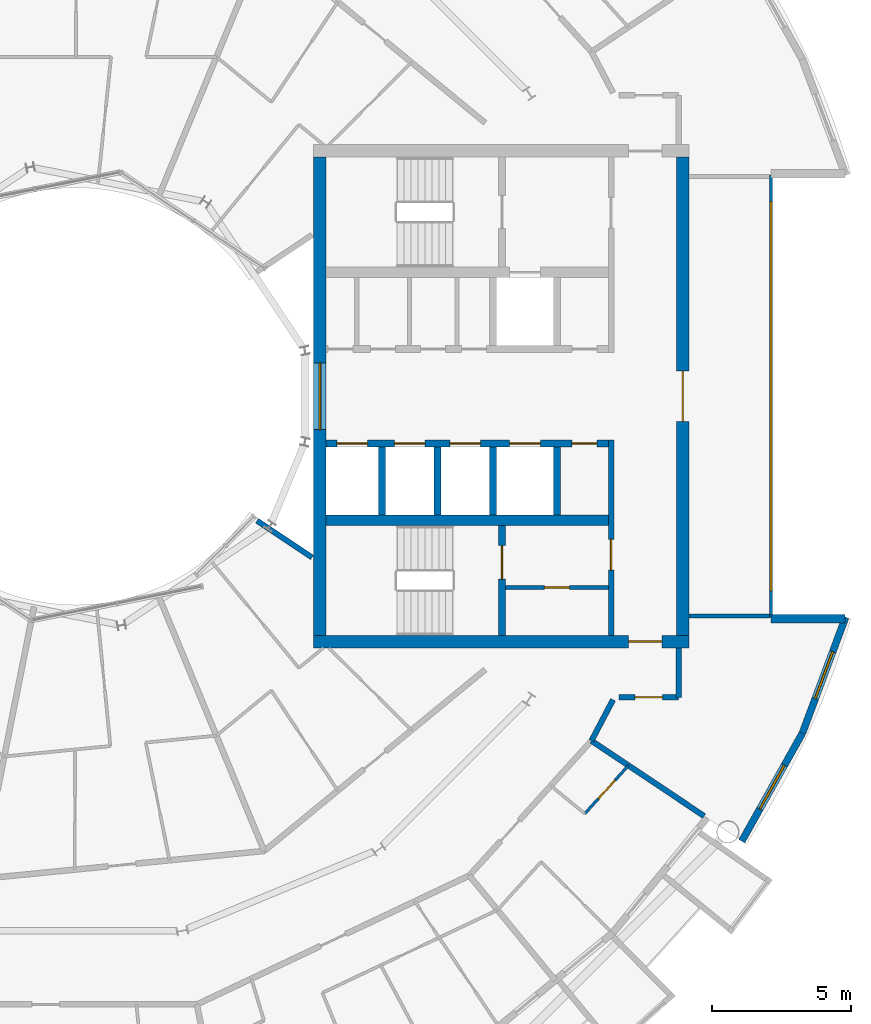
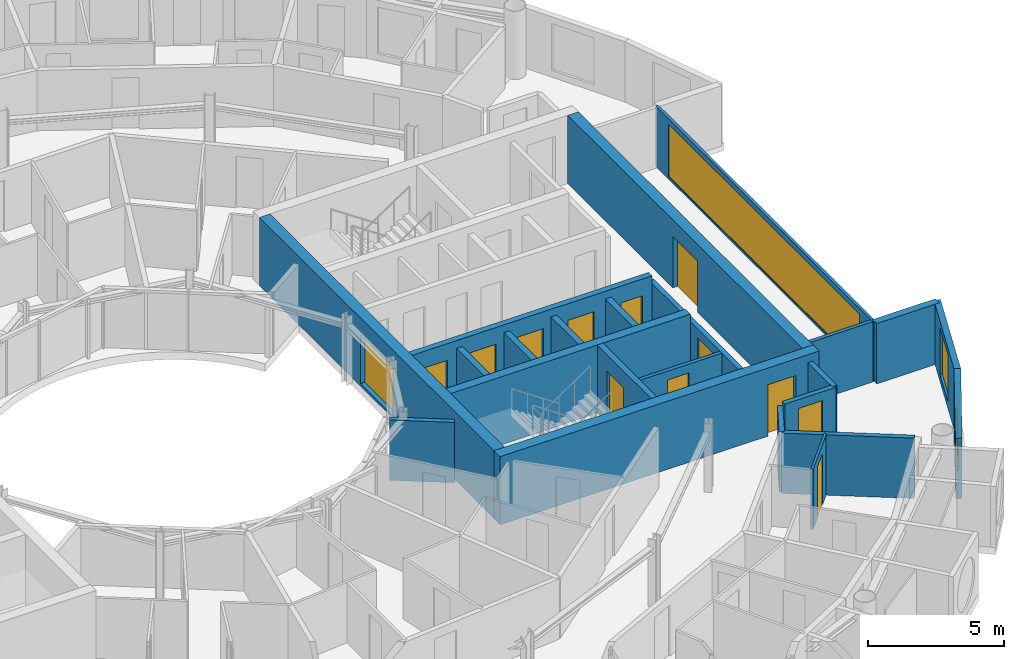
# One storey, part 19 of 29: 23 walls, 12 doors, 4 windows, 16 openings.
"""IFC4 building model written with IfcOpenShell, lengths in metres."""

from ifc_helpers import new_model, si_unit, direction, frame, frame_2d, origin, place, context, subcontext, project, spatial, rectangle, extrude, material, layer, layer_set, type_object, element, fill, save


model = new_model("IFC4")

# Units and contexts
model_context = context("Model", 3, precision=1e-05, world=origin(), true_north=direction((0.0, 1.0)))
body_context = subcontext(model_context, "Body", "Model", "MODEL_VIEW")
ifc_project = project(units=[si_unit("LENGTHUNIT", "METRE"), si_unit("AREAUNIT", "SQUARE_METRE"), si_unit("VOLUMEUNIT", "CUBIC_METRE"), si_unit("PLANEANGLEUNIT", "RADIAN"), si_unit("MASSUNIT", "GRAM", prefix="KILO")], contexts=[model_context])

# Site, building, storey
site_placement = place(None, origin())
site = spatial("IfcSite", under=ifc_project, at=site_placement, CompositionType="ELEMENT")
building_placement = place(site_placement, origin())
building = spatial("IfcBuilding", under=site, at=building_placement, Name="Maasbend Ring Residences", CompositionType="ELEMENT")
storey_placement = place(building_placement, frame((0.0, 0.0, 212.699951171875)))
storey = spatial("IfcBuildingStorey", under=building, at=storey_placement, Name="L61", CompositionType="ELEMENT", Elevation=212.699951171875)

# Wall, openings, doors
ifc_material_1 = material(Name="Concrete C50/60", Category="concrete")
ifc_layer_1 = layer(ifc_material_1, 0.25)
ifc_layer_set_1 = layer_set([ifc_layer_1], Name="Concrete C50/60")
wall_type_1 = type_object("IfcWallType", Name="CORE WALL 250 C50/60", PredefinedType="SHEAR", material=ifc_layer_set_1)
wall_1_placement = place(storey_placement, frame((19.14990234375, -1.699951171875, 0.0), z_axis=(0.0, 0.0, 1.0), x_axis=(-1.0, 0.0, 0.0)))
wall_1 = element("IfcWall", 1, at=wall_1_placement, inside=storey, type_object=wall_type_1, Name="L61 core E wall SPS", PredefinedType="SHEAR", context=body_context, shape_type="SweptSolid", body=[
    extrude(rectangle(XDim=10.14990234375, YDim=0.25, at=frame_2d((5.074951171875, 0.0))), origin(), (0.0, 0.0, 1.0), 3.050048828125),
])
opening_1_placement = place(wall_1_placement, frame((8.66259765625, 0.0, 0.0)))
opening_1 = element("IfcOpeningElement", 2, at=opening_1_placement, cuts=wall_1, Name="Opening LD-E6102", PredefinedType="OPENING", context=body_context, shape_type="SweptSolid", body=[
    extrude(rectangle(XDim=1.10009765625, YDim=2.300048828125, at=frame_2d((0.550048828125, 1.14990234375))), frame((0.0, 0.135009765625, 0.0), z_axis=(0.0, -1.0, 0.0), x_axis=(1.0, 0.0, 0.0)), (0.0, 0.0, 1.0), 0.27001953125),
])
opening_2_placement = place(wall_1_placement, frame((6.60009765625, 0.0, 0.0)))
opening_2 = element("IfcOpeningElement", 3, at=opening_2_placement, cuts=wall_1, Name="Opening LD-E6103", PredefinedType="OPENING", context=body_context, shape_type="SweptSolid", body=[
    extrude(rectangle(XDim=1.10009765625, YDim=2.300048828125, at=frame_2d((0.550048828125, 1.14990234375))), frame((0.0, 0.135009765625, 0.0), z_axis=(0.0, -1.0, 0.0), x_axis=(1.0, 0.0, 0.0)), (0.0, 0.0, 1.0), 0.27001953125),
])
opening_3_placement = place(wall_1_placement, frame((4.60009765625, 0.0, 0.0)))
opening_3 = element("IfcOpeningElement", 4, at=opening_3_placement, cuts=wall_1, Name="Opening LD-E6104", PredefinedType="OPENING", context=body_context, shape_type="SweptSolid", body=[
    extrude(rectangle(XDim=1.10009765625, YDim=2.300048828125, at=frame_2d((0.550048828125, 1.14990234375))), frame((0.0, 0.135009765625, 0.0), z_axis=(0.0, -1.0, 0.0), x_axis=(1.0, 0.0, 0.0)), (0.0, 0.0, 1.0), 0.27001953125),
])
opening_4_placement = place(wall_1_placement, frame((2.449951171875, 0.0, 0.0)))
opening_4 = element("IfcOpeningElement", 5, at=opening_4_placement, cuts=wall_1, Name="Opening LD-E6105", PredefinedType="OPENING", context=body_context, shape_type="SweptSolid", body=[
    extrude(rectangle(XDim=1.10009765625, YDim=2.300048828125, at=frame_2d((0.550048828125, 1.14990234375))), frame((0.0, 0.135009765625, 0.0), z_axis=(0.0, -1.0, 0.0), x_axis=(1.0, 0.0, 0.0)), (0.0, 0.0, 1.0), 0.27001953125),
])
opening_5_placement = place(wall_1_placement, frame((0.41259765625, 0.0, 0.0)))
opening_5 = element("IfcOpeningElement", 6, at=opening_5_placement, cuts=wall_1, Name="Opening D-E6111", PredefinedType="OPENING", context=body_context, shape_type="SweptSolid", body=[
    extrude(rectangle(XDim=0.89990234375, YDim=2.300048828125, at=frame_2d((0.449951171875, 1.14990234375))), frame((0.0, 0.135009765625, 0.0), z_axis=(0.0, -1.0, 0.0), x_axis=(1.0, 0.0, 0.0)), (0.0, 0.0, 1.0), 0.27001953125),
])
ifc_material_2 = material(Name="Stainless steel 316", Category="steel")
door_type_1 = type_object("IfcDoorType", Name="LANDING DOOR 1100 X 2300 FD60", OperationType="DOUBLE_DOOR_SLIDING", PredefinedType="DOOR", material=ifc_material_2)
door_1_placement = place(opening_1_placement, origin())
door_1 = element("IfcDoor", 7, at=door_1_placement, inside=storey, type_object=door_type_1, Name="Landing door HR-E1 L61", OperationType="DOUBLE_DOOR_SLIDING", OverallHeight=2.300048828125, OverallWidth=1.10009765625, PredefinedType="DOOR", context=body_context, shape_type="SweptSolid", body=[
    extrude(rectangle(XDim=1.10009765625, YDim=2.300048828125, at=frame_2d((0.550048828125, 1.14990234375))), frame((0.0, 0.02490234375, 0.0), z_axis=(0.0, -1.0, 0.0), x_axis=(1.0, 0.0, 0.0)), (0.0, 0.0, 1.0), 0.050048828125),
])
fill(opening_1, door_1)
door_2_placement = place(opening_2_placement, origin())
door_2 = element("IfcDoor", 8, at=door_2_placement, inside=storey, type_object=door_type_1, Name="Landing door HR-E2 L61", OperationType="DOUBLE_DOOR_SLIDING", OverallHeight=2.300048828125, OverallWidth=1.10009765625, PredefinedType="DOOR", context=body_context, shape_type="SweptSolid", body=[
    extrude(rectangle(XDim=1.10009765625, YDim=2.300048828125, at=frame_2d((0.550048828125, 1.14990234375))), frame((0.0, 0.02490234375, 0.0), z_axis=(0.0, -1.0, 0.0), x_axis=(1.0, 0.0, 0.0)), (0.0, 0.0, 1.0), 0.050048828125),
])
fill(opening_2, door_2)
door_3_placement = place(opening_3_placement, origin())
door_3 = element("IfcDoor", 9, at=door_3_placement, inside=storey, type_object=door_type_1, Name="Landing door HR-E3 L61", OperationType="DOUBLE_DOOR_SLIDING", OverallHeight=2.300048828125, OverallWidth=1.10009765625, PredefinedType="DOOR", context=body_context, shape_type="SweptSolid", body=[
    extrude(rectangle(XDim=1.10009765625, YDim=2.300048828125, at=frame_2d((0.550048828125, 1.14990234375))), frame((0.0, 0.02490234375, 0.0), z_axis=(0.0, -1.0, 0.0), x_axis=(1.0, 0.0, 0.0)), (0.0, 0.0, 1.0), 0.050048828125),
])
fill(opening_3, door_3)
door_4_placement = place(opening_4_placement, origin())
door_4 = element("IfcDoor", 10, at=door_4_placement, inside=storey, type_object=door_type_1, Name="Landing door SV-E L61", OperationType="DOUBLE_DOOR_SLIDING", OverallHeight=2.300048828125, OverallWidth=1.10009765625, PredefinedType="DOOR", context=body_context, shape_type="SweptSolid", body=[
    extrude(rectangle(XDim=1.10009765625, YDim=2.300048828125, at=frame_2d((0.550048828125, 1.14990234375))), frame((0.0, 0.02490234375, 0.0), z_axis=(0.0, -1.0, 0.0), x_axis=(1.0, 0.0, 0.0)), (0.0, 0.0, 1.0), 0.050048828125),
])
fill(opening_4, door_4)
ifc_material_3 = material(Name="Steel, powder coated", Category="steel")
door_type_2 = type_object("IfcDoorType", Name="ROOM DOOR 900 X 2300 FD30S", OperationType="NOTDEFINED", PredefinedType="DOOR", material=ifc_material_3)
door_5_placement = place(opening_5_placement, origin())
door_5 = element("IfcDoor", 11, at=door_5_placement, inside=storey, type_object=door_type_2, Name="Room door L61", OperationType="SINGLE_SWING_RIGHT", OverallHeight=2.300048828125, OverallWidth=0.89990234375, PredefinedType="DOOR", context=body_context, shape_type="SweptSolid", body=[
    extrude(rectangle(XDim=0.89990234375, YDim=2.300048828125, at=frame_2d((0.449951171875, 1.14990234375))), frame((0.0, 0.02490234375, 0.0), z_axis=(0.0, -1.0, 0.0), x_axis=(1.0, 0.0, 0.0)), (0.0, 0.0, 1.0), 0.050048828125),
])
fill(opening_5, door_5)

# Wall, opening, door
wall_2_placement = place(storey_placement, frame((15.324951171875, -8.60009765625, 0.0), z_axis=(0.0, 0.0, 1.0), x_axis=(0.0, 1.0, 0.0)))
wall_2 = element("IfcWall", 12, at=wall_2_placement, inside=storey, type_object=wall_type_1, Name="L61 core E wall STES", PredefinedType="SHEAR", context=body_context, shape_type="SweptSolid", body=[
    extrude(rectangle(XDim=3.9501953125, YDim=0.25, at=frame_2d((1.97509765625, 0.0))), origin(), (0.0, 0.0, 1.0), 3.050048828125),
])
opening_6_placement = place(wall_2_placement, frame((2.02490234375, 0.0, 0.0)))
opening_6 = element("IfcOpeningElement", 13, at=opening_6_placement, cuts=wall_2, Name="Opening D-E6114", PredefinedType="OPENING", context=body_context, shape_type="SweptSolid", body=[
    extrude(rectangle(XDim=1.199951171875, YDim=2.300048828125, at=frame_2d((0.60009765625, 1.14990234375))), frame((0.0, 0.135009765625, 0.0), z_axis=(0.0, -1.0, 0.0), x_axis=(1.0, 0.0, 0.0)), (0.0, 0.0, 1.0), 0.27001953125),
])
ifc_material_4 = material(Name="Steel, powder coated", Category="steel")
door_type_3 = type_object("IfcDoorType", Name="STAIR DOOR 1200 X 2300 FD60", OperationType="NOTDEFINED", PredefinedType="DOOR", material=ifc_material_4)
door_6_placement = place(opening_6_placement, origin())
door_6 = element("IfcDoor", 14, at=door_6_placement, inside=storey, type_object=door_type_3, Name="Stair door ST-E L61", OperationType="SINGLE_SWING_LEFT", OverallHeight=2.300048828125, OverallWidth=1.199951171875, PredefinedType="DOOR", context=body_context, shape_type="SweptSolid", body=[
    extrude(rectangle(XDim=1.199951171875, YDim=2.300048828125, at=frame_2d((0.60009765625, 1.14990234375))), frame((0.0, 0.02490234375, 0.0), z_axis=(0.0, -1.0, 0.0), x_axis=(1.0, 0.0, 0.0)), (0.0, 0.0, 1.0), 0.050048828125),
])
fill(opening_6, door_6)

# Wall
ifc_material_5 = material(Name="Concrete C50/60", Category="concrete")
ifc_layer_2 = layer(ifc_material_5, 0.375)
ifc_layer_set_2 = layer_set([ifc_layer_2], Name="Concrete C50/60")
wall_type_2 = type_object("IfcWallType", Name="CORE WALL 375 C50/60", PredefinedType="SHEAR", material=ifc_layer_set_2)
wall_3_placement = place(storey_placement, frame((9.0, -4.46240234375, 0.0), z_axis=(0.0, 0.0, 1.0), x_axis=(1.0, 0.0, 0.0)))
element("IfcWall", 15, at=wall_3_placement, inside=storey, type_object=wall_type_2, Name="L61 core E wall BS", PredefinedType="SHEAR", context=body_context, shape_type="SweptSolid", body=[
    extrude(rectangle(XDim=10.14990234375, YDim=0.375, at=frame_2d((5.074951171875, 0.0))), origin(), (0.0, 0.0, 1.0), 3.050048828125),
])

# Wall, opening, door
ifc_material_6 = material(Name="Concrete C50/60", Category="concrete")
ifc_layer_3 = layer(ifc_material_6, 0.449951171875)
ifc_layer_set_3 = layer_set([ifc_layer_3], Name="Concrete C50/60")
wall_type_3 = type_object("IfcWallType", Name="CORE WALL 450 C50/60", PredefinedType="SHEAR", material=ifc_layer_set_3)
wall_4_placement = place(storey_placement, frame((8.550048828125, -8.824951171875, 0.0), z_axis=(0.0, 0.0, 1.0), x_axis=(1.0, 0.0, 0.0)))
wall_4 = element("IfcWall", 16, at=wall_4_placement, inside=storey, type_object=wall_type_3, Name="L61 core E wall PS", PredefinedType="SHEAR", context=body_context, shape_type="SweptSolid", body=[
    extrude(rectangle(XDim=13.5, YDim=0.449951171875, at=frame_2d((6.75, 0.0))), origin(), (0.0, 0.0, 1.0), 3.050048828125),
])
opening_7_placement = place(wall_4_placement, frame((11.324951171875, 0.0, 0.0)))
opening_7 = element("IfcOpeningElement", 17, at=opening_7_placement, cuts=wall_4, Name="Opening D-E6118", PredefinedType="OPENING", context=body_context, shape_type="SweptSolid", body=[
    extrude(rectangle(XDim=1.199951171875, YDim=2.300048828125, at=frame_2d((0.60009765625, 1.14990234375))), frame((0.0, 0.23486328125, 0.0), z_axis=(0.0, -1.0, 0.0), x_axis=(1.0, 0.0, 0.0)), (0.0, 0.0, 1.0), 0.469970703125),
])
ifc_material_7 = material(Name="Steel, powder coated", Category="steel")
door_type_4 = type_object("IfcDoorType", Name="CORRIDOR DOOR 1200 X 2300 FD30S", OperationType="NOTDEFINED", PredefinedType="DOOR", material=ifc_material_7)
door_7_placement = place(opening_7_placement, origin())
door_7 = element("IfcDoor", 18, at=door_7_placement, inside=storey, type_object=door_type_4, Name="Corridor door L61", OperationType="SINGLE_SWING_LEFT", OverallHeight=2.300048828125, OverallWidth=1.199951171875, PredefinedType="DOOR", context=body_context, shape_type="SweptSolid", body=[
    extrude(rectangle(XDim=1.199951171875, YDim=2.300048828125, at=frame_2d((0.60009765625, 1.14990234375))), frame((0.0, 0.02490234375, 0.0), z_axis=(0.0, -1.0, 0.0), x_axis=(1.0, 0.0, 0.0)), (0.0, 0.0, 1.0), 0.050048828125),
])
fill(opening_7, door_7)

wall_5_placement = place(storey_placement, frame((21.824951171875, 8.60009765625, 0.0), z_axis=(0.0, 0.0, 1.0), x_axis=(0.0, -1.0, 0.0)))
wall_5 = element("IfcWall", 19, at=wall_5_placement, inside=storey, type_object=wall_type_3, Name="L61 core E wall POUT", PredefinedType="SHEAR", context=body_context, shape_type="SweptSolid", body=[
    extrude(rectangle(XDim=17.2001953125, YDim=0.449951171875, at=frame_2d((8.60009765625, 0.0))), origin(), (0.0, 0.0, 1.0), 3.050048828125),
])
opening_8_placement = place(wall_5_placement, frame((7.699951171875, 0.0, 0.0)))
opening_8 = element("IfcOpeningElement", 20, at=opening_8_placement, cuts=wall_5, Name="Opening D-E6119", PredefinedType="OPENING", context=body_context, shape_type="SweptSolid", body=[
    extrude(rectangle(XDim=1.800048828125, YDim=2.300048828125, at=frame_2d((0.89990234375, 1.14990234375))), frame((0.0, 0.23486328125, 0.0), z_axis=(0.0, -1.0, 0.0), x_axis=(1.0, 0.0, 0.0)), (0.0, 0.0, 1.0), 0.469970703125),
])
ifc_material_8 = material(Name="Aluminium frame, clear glass", Category="aluminium")
door_type_5 = type_object("IfcDoorType", Name="ENTRANCE DOOR 1800 X 2300 FD60", OperationType="NOTDEFINED", PredefinedType="DOOR", material=ifc_material_8)
door_8_placement = place(opening_8_placement, origin())
door_8 = element("IfcDoor", 21, at=door_8_placement, inside=storey, type_object=door_type_5, Name="Lobby glazed door L61", OperationType="SINGLE_SWING_LEFT", OverallHeight=2.300048828125, OverallWidth=1.800048828125, PredefinedType="DOOR", context=body_context, shape_type="SweptSolid", body=[
    extrude(rectangle(XDim=1.800048828125, YDim=2.300048828125, at=frame_2d((0.89990234375, 1.14990234375))), frame((0.0, 0.02490234375, 0.0), z_axis=(0.0, -1.0, 0.0), x_axis=(1.0, 0.0, 0.0)), (0.0, 0.0, 1.0), 0.050048828125),
])
fill(opening_8, door_8)

# Wall, opening, window
wall_6_placement = place(storey_placement, frame((8.77490234375, -8.60009765625, 0.0), z_axis=(0.0, 0.0, 1.0), x_axis=(0.0, 1.0, 0.0)))
wall_6 = element("IfcWall", 22, at=wall_6_placement, inside=storey, type_object=wall_type_3, Name="L61 core E wall PIN", PredefinedType="SHEAR", context=body_context, shape_type="SweptSolid", body=[
    extrude(rectangle(XDim=17.2001953125, YDim=0.449951171875, at=frame_2d((8.60009765625, 0.0))), origin(), (0.0, 0.0, 1.0), 3.050048828125),
])
opening_9_placement = place(wall_6_placement, frame((7.39990234375, 0.0, 0.10009765625)))
opening_9 = element("IfcOpeningElement", 23, at=opening_9_placement, cuts=wall_6, Name="Opening W-E6101", PredefinedType="OPENING", context=body_context, shape_type="SweptSolid", body=[
    extrude(rectangle(XDim=2.39990234375, YDim=2.199951171875, at=frame_2d((1.199951171875, 1.10009765625))), frame((0.0, 0.23486328125, 0.0), z_axis=(0.0, -1.0, 0.0), x_axis=(1.0, 0.0, 0.0)), (0.0, 0.0, 1.0), 0.469970703125),
])
ifc_material_9 = material(Name="Aluminium frame and clear glass", Category="aluminium")
window_type_1 = type_object("IfcWindowType", Name="FIXED WINDOW 2400 X 2200", PartitioningType="SINGLE_PANEL", PredefinedType="WINDOW", material=ifc_material_9)
window_1_placement = place(opening_9_placement, origin())
window_1 = element("IfcWindow", 24, at=window_1_placement, inside=storey, type_object=window_type_1, Name="Lobby window L61", OverallHeight=2.199951171875, OverallWidth=2.39990234375, PartitioningType="SINGLE_PANEL", PredefinedType="WINDOW", context=body_context, shape_type="SweptSolid", body=[
    extrude(rectangle(XDim=2.39990234375, YDim=2.199951171875, at=frame_2d((1.199951171875, 1.10009765625))), frame((0.0, 0.030029296875, 0.0), z_axis=(0.0, -1.0, 0.0), x_axis=(1.0, 0.0, 0.0)), (0.0, 0.0, 1.0), 0.06005859375),
])
fill(opening_9, window_1)

# Walls
ifc_material_10 = material(Name="Concrete C30/37", Category="concrete")
ifc_layer_4 = layer(ifc_material_10, 0.199951171875)
ifc_layer_set_4 = layer_set([ifc_layer_4], Name="Concrete C30/37")
wall_type_4 = type_object("IfcWallType", Name="CORRIDOR WALL 200 CONCRETE", PredefinedType="PARTITIONING", material=ifc_layer_set_4)
wall_7_placement = place(storey_placement, frame((18.5419921875, -12.388916015625, 0.0), z_axis=(0.0, 0.0, 1.0), x_axis=(0.465359652486, 0.885121683068, 0.0)))
element("IfcWall", 25, at=wall_7_placement, inside=storey, type_object=wall_type_4, Name="U-L61-w012", PredefinedType="PARTITIONING", context=body_context, shape_type="SweptSolid", body=[
    extrude(rectangle(XDim=1.665283203125, YDim=0.199951171875, at=frame_2d((0.83251953125, 0.0))), origin(), (0.0, 0.0, 1.0), 2.699951171875),
])
wall_8_placement = place(storey_placement, frame((21.675048828125, -10.824951171875, 0.0), z_axis=(0.0, 0.0, 1.0), x_axis=(0.0, 1.0, 0.0)))
element("IfcWall", 26, at=wall_8_placement, inside=storey, type_object=wall_type_4, Name="U-L61-w017", PredefinedType="PARTITIONING", context=body_context, shape_type="SweptSolid", body=[
    extrude(rectangle(XDim=1.77490234375, YDim=0.199951171875, at=frame_2d((0.887451171875, 0.0))), origin(), (0.0, 0.0, 1.0), 2.699951171875),
])

# Wall, opening, door
wall_9_placement = place(storey_placement, frame((19.52294921875, -10.824951171875, 0.0), z_axis=(0.0, 0.0, 1.0), x_axis=(1.0, 0.0, 0.0)))
wall_9 = element("IfcWall", 27, at=wall_9_placement, inside=storey, type_object=wall_type_4, Name="U-L61-w030", PredefinedType="PARTITIONING", context=body_context, shape_type="SweptSolid", body=[
    extrude(rectangle(XDim=2.152099609375, YDim=0.199951171875, at=frame_2d((1.076171875, 0.0))), origin(), (0.0, 0.0, 1.0), 2.699951171875),
])
opening_10_placement = place(wall_9_placement, frame((0.575927734375, 0.0, 0.0)))
opening_10 = element("IfcOpeningElement", 28, at=opening_10_placement, cuts=wall_9, Name="Opening D-6170", PredefinedType="OPENING", context=body_context, shape_type="SweptSolid", body=[
    extrude(rectangle(XDim=1.0, YDim=2.300048828125, at=frame_2d((0.5, 1.14990234375))), frame((0.0, 0.10986328125, 0.0), z_axis=(0.0, -1.0, 0.0), x_axis=(1.0, 0.0, 0.0)), (0.0, 0.0, 1.0), 0.219970703125),
])
ifc_material_11 = material(Name="Timber, painted", Category="wood")
door_type_6 = type_object("IfcDoorType", Name="ROOM DOOR 1000 X 2300", OperationType="NOTDEFINED", PredefinedType="DOOR", material=ifc_material_11)
door_9_placement = place(opening_10_placement, origin())
door_9 = element("IfcDoor", 29, at=door_9_placement, inside=storey, type_object=door_type_6, Name="D-6170", OperationType="SINGLE_SWING_LEFT", OverallHeight=2.300048828125, OverallWidth=1.0, PredefinedType="DOOR", context=body_context, shape_type="SweptSolid", body=[
    extrude(rectangle(XDim=1.0, YDim=2.300048828125, at=frame_2d((0.5, 1.14990234375))), frame((0.0, 0.02490234375, 0.0), z_axis=(0.0, -1.0, 0.0), x_axis=(1.0, 0.0, 0.0)), (0.0, 0.0, 1.0), 0.050048828125),
])
fill(opening_10, door_9)

# Wall, opening, window
ifc_material_12 = material(Name="Aluminium clad insulated panel", Category="aluminium")
ifc_layer_5 = layer(ifc_material_12, 0.25)
ifc_layer_set_5 = layer_set([ifc_layer_5], Name="EW-HORN")
wall_type_5 = type_object("IfcWallType", Name="EW-HORN", PredefinedType="SOLIDWALL", material=ifc_layer_set_5)
wall_10_placement = place(storey_placement, frame((23.946044921875, -16.0, 0.0), z_axis=(0.0, 0.0, 1.0), x_axis=(0.489696356642, 0.871893042919, 0.0)))
wall_10 = element("IfcWall", 30, at=wall_10_placement, inside=storey, type_object=wall_type_5, Name="Horn wall 2.1", PredefinedType="SOLIDWALL", context=body_context, shape_type="SweptSolid", body=[
    extrude(rectangle(XDim=4.45361328125, YDim=0.25, at=frame_2d((2.226806640625, 0.0))), origin(), (0.0, 0.0, 1.0), 2.699951171875),
])
opening_11_placement = place(wall_10_placement, frame((1.32666015625, 0.0, 0.300048828125)))
opening_11 = element("IfcOpeningElement", 31, at=opening_11_placement, cuts=wall_10, Name="Opening W-BX", PredefinedType="OPENING", context=body_context, shape_type="SweptSolid", body=[
    extrude(rectangle(XDim=1.800048828125, YDim=2.10009765625, at=frame_2d((0.89990234375, 1.050048828125))), frame((0.0, 0.135009765625, 0.0), z_axis=(0.0, -1.0, 0.0), x_axis=(1.0, 0.0, 0.0)), (0.0, 0.0, 1.0), 0.27001953125),
])
ifc_material_13 = material(Name="Aluminium and clear glass", Category="aluminium")
window_type_2 = type_object("IfcWindowType", Name="W-BX", PartitioningType="DOUBLE_PANEL_VERTICAL", PredefinedType="WINDOW", material=ifc_material_13)
window_2_placement = place(opening_11_placement, origin())
window_2 = element("IfcWindow", 32, at=window_2_placement, inside=storey, type_object=window_type_2, Name="Horn window 2.1", OverallHeight=2.10009765625, OverallWidth=1.800048828125, PartitioningType="SINGLE_PANEL", PredefinedType="WINDOW", context=body_context, shape_type="SweptSolid", body=[
    extrude(rectangle(XDim=1.800048828125, YDim=2.10009765625, at=frame_2d((0.89990234375, 1.050048828125))), frame((0.0, 0.030029296875, 0.0), z_axis=(0.0, -1.0, 0.0), x_axis=(1.0, 0.0, 0.0)), (0.0, 0.0, 1.0), 0.06005859375),
])
fill(opening_11, window_2)

wall_11_placement = place(storey_placement, frame((26.126953125, -12.116943359375, 0.0), z_axis=(0.0, 0.0, 1.0), x_axis=(0.349247811493, 0.937030397675, 0.0)))
wall_11 = element("IfcWall", 33, at=wall_11_placement, inside=storey, type_object=wall_type_5, Name="Horn wall 2.2", PredefinedType="SOLIDWALL", context=body_context, shape_type="SweptSolid", body=[
    extrude(rectangle(XDim=4.4521484375, YDim=0.25, at=frame_2d((2.22607421875, 0.0))), origin(), (0.0, 0.0, 1.0), 2.699951171875),
])
opening_12_placement = place(wall_11_placement, frame((1.32666015625, 0.0, 0.300048828125)))
opening_12 = element("IfcOpeningElement", 34, at=opening_12_placement, cuts=wall_11, Name="Opening W-BX", PredefinedType="OPENING", context=body_context, shape_type="SweptSolid", body=[
    extrude(rectangle(XDim=1.800048828125, YDim=2.10009765625, at=frame_2d((0.89990234375, 1.050048828125))), frame((0.0, 0.135009765625, 0.0), z_axis=(0.0, -1.0, 0.0), x_axis=(1.0, 0.0, 0.0)), (0.0, 0.0, 1.0), 0.27001953125),
])
window_3_placement = place(opening_12_placement, origin())
window_3 = element("IfcWindow", 35, at=window_3_placement, inside=storey, type_object=window_type_2, Name="Horn window 2.2", OverallHeight=2.10009765625, OverallWidth=1.800048828125, PartitioningType="SINGLE_PANEL", PredefinedType="WINDOW", context=body_context, shape_type="SweptSolid", body=[
    extrude(rectangle(XDim=1.800048828125, YDim=2.10009765625, at=frame_2d((0.89990234375, 1.050048828125))), frame((0.0, 0.030029296875, 0.0), z_axis=(0.0, -1.0, 0.0), x_axis=(1.0, 0.0, 0.0)), (0.0, 0.0, 1.0), 0.06005859375),
])
fill(opening_12, window_3)

# Wall
ifc_material_14 = material(Name="Aluminium clad insulated panel", Category="aluminium")
ifc_layer_6 = layer(ifc_material_14, 0.300048828125)
ifc_layer_set_6 = layer_set([ifc_layer_6], Name="EW-RET")
wall_type_6 = type_object("IfcWallType", Name="EW-RET", PredefinedType="SOLIDWALL", material=ifc_layer_set_6)
wall_12_placement = place(storey_placement, frame((25.0, -8.0, 0.0), z_axis=(0.0, 0.0, 1.0), x_axis=(1.0, 0.0, 0.0)))
element("IfcWall", 36, at=wall_12_placement, inside=storey, type_object=wall_type_6, Name="Notch return wall east south", PredefinedType="SOLIDWALL", context=body_context, shape_type="SweptSolid", body=[
    extrude(rectangle(XDim=2.6669921875, YDim=0.300048828125, at=frame_2d((1.33349609375, 0.0))), origin(), (0.0, 0.0, 1.0), 2.699951171875),
])

# Wall, opening, window
ifc_material_15 = material(Name="Aluminium frame and clear glass", Category="aluminium")
ifc_layer_7 = layer(ifc_material_15, 0.1201171875)
ifc_layer_set_7 = layer_set([ifc_layer_7], Name="GLAZED SCREEN WALL 120 EI 60")
wall_type_7 = type_object("IfcWallType", Name="GLAZED SCREEN WALL 120 EI 60", PredefinedType="PARTITIONING", material=ifc_layer_set_7)
wall_13_placement = place(storey_placement, frame((25.0, -7.949951171875, 0.0), z_axis=(0.0, 0.0, 1.0), x_axis=(0.0, 1.0, 0.0)))
wall_13 = element("IfcWall", 37, at=wall_13_placement, inside=storey, type_object=wall_type_7, Name="L61 core E wall FACE", PredefinedType="PARTITIONING", context=body_context, shape_type="SweptSolid", body=[
    extrude(rectangle(XDim=15.89990234375, YDim=0.1201171875, at=frame_2d((7.949951171875, 0.0))), origin(), (0.0, 0.0, 1.0), 2.699951171875),
])
opening_13_placement = place(wall_13_placement, frame((0.949951171875, 0.0, 0.10009765625)))
opening_13 = element("IfcOpeningElement", 38, at=opening_13_placement, cuts=wall_13, Name="Opening W-E6102", PredefinedType="OPENING", context=body_context, shape_type="SweptSolid", body=[
    extrude(rectangle(XDim=14.0, YDim=2.35009765625, at=frame_2d((7.0, 1.175048828125))), frame((0.0, 0.070068359375, 0.0), z_axis=(0.0, -1.0, 0.0), x_axis=(1.0, 0.0, 0.0)), (0.0, 0.0, 1.0), 0.14013671875),
])
ifc_material_16 = material(Name="Aluminium frame and clear glass", Category="aluminium")
window_type_3 = type_object("IfcWindowType", Name="FIXED WINDOW 14000 X 2350", PartitioningType="SINGLE_PANEL", PredefinedType="WINDOW", material=ifc_material_16)
window_4_placement = place(opening_13_placement, origin())
window_4 = element("IfcWindow", 39, at=window_4_placement, inside=storey, type_object=window_type_3, Name="Lobby window L61", OverallHeight=2.35009765625, OverallWidth=14.0, PartitioningType="SINGLE_PANEL", PredefinedType="WINDOW", context=body_context, shape_type="SweptSolid", body=[
    extrude(rectangle(XDim=14.0, YDim=2.35009765625, at=frame_2d((7.0, 1.175048828125))), frame((0.0, 0.030029296875, 0.0), z_axis=(0.0, -1.0, 0.0), x_axis=(1.0, 0.0, 0.0)), (0.0, 0.0, 1.0), 0.06005859375),
])
fill(opening_13, window_4)

# Wall, opening, door
ifc_material_17 = material(Name="Gypsum board on steel studs", Category="steel")
ifc_layer_8 = layer(ifc_material_17, 0.10009765625)
ifc_layer_set_8 = layer_set([ifc_layer_8], Name="PARTITION 100 GYPSUM")
wall_type_8 = type_object("IfcWallType", Name="PARTITION 100 GYPSUM", PredefinedType="PARTITIONING", material=ifc_layer_set_8)
wall_14_placement = place(storey_placement, frame((18.302001953125, -15.010009765625, 0.0), z_axis=(0.0, 0.0, 1.0), x_axis=(0.671637685376, 0.740879760544, 0.0)))
wall_14 = element("IfcWall", 40, at=wall_14_placement, inside=storey, type_object=wall_type_8, Name="U-L61-w002", PredefinedType="PARTITIONING", context=body_context, shape_type="SweptSolid", body=[
    extrude(rectangle(XDim=2.337646484375, YDim=0.10009765625, at=frame_2d((1.1689453125, 0.0))), origin(), (0.0, 0.0, 1.0), 2.699951171875),
])
opening_14_placement = place(wall_14_placement, frame((0.718994140625, 0.0, 0.0)))
opening_14 = element("IfcOpeningElement", 41, at=opening_14_placement, cuts=wall_14, Name="Opening D-6154", PredefinedType="OPENING", context=body_context, shape_type="SweptSolid", body=[
    extrude(rectangle(XDim=0.89990234375, YDim=2.300048828125, at=frame_2d((0.449951171875, 1.14990234375))), frame((0.0, 0.06005859375, 0.0), z_axis=(0.0, -1.0, 0.0), x_axis=(1.0, 0.0, 0.0)), (0.0, 0.0, 1.0), 0.1201171875),
])
ifc_material_18 = material(Name="Timber, painted", Category="wood")
door_type_7 = type_object("IfcDoorType", Name="INTERNAL DOOR 900 X 2300", OperationType="NOTDEFINED", PredefinedType="DOOR", material=ifc_material_18)
door_10_placement = place(opening_14_placement, origin())
door_10 = element("IfcDoor", 42, at=door_10_placement, inside=storey, type_object=door_type_7, Name="D-6154", OperationType="SINGLE_SWING_LEFT", OverallHeight=2.300048828125, OverallWidth=0.89990234375, PredefinedType="DOOR", context=body_context, shape_type="SweptSolid", body=[
    extrude(rectangle(XDim=0.89990234375, YDim=2.300048828125, at=frame_2d((0.449951171875, 1.14990234375))), frame((0.0, 0.02490234375, 0.0), z_axis=(0.0, -1.0, 0.0), x_axis=(1.0, 0.0, 0.0)), (0.0, 0.0, 1.0), 0.050048828125),
])
fill(opening_14, door_10)

ifc_material_19 = material(Name="Gypsum board on steel studs", Category="steel")
ifc_layer_9 = layer(ifc_material_19, 0.14990234375)
ifc_layer_set_9 = layer_set([ifc_layer_9], Name="PARTITION 150 EI 60")
wall_type_9 = type_object("IfcWallType", Name="PARTITION 150 EI 60", PredefinedType="PARTITIONING", material=ifc_layer_set_9)
wall_15_placement = place(storey_placement, frame((15.449951171875, -6.875, 0.0), z_axis=(0.0, 0.0, 1.0), x_axis=(1.0, 0.0, 0.0)))
wall_15 = element("IfcWall", 43, at=wall_15_placement, inside=storey, type_object=wall_type_9, Name="L61 core E wall RHS", PredefinedType="PARTITIONING", context=body_context, shape_type="SweptSolid", body=[
    extrude(rectangle(XDim=3.699951171875, YDim=0.14990234375, at=frame_2d((1.85009765625, 0.0))), origin(), (0.0, 0.0, 1.0), 2.699951171875),
])
opening_15_placement = place(wall_15_placement, frame((1.39990234375, 0.0, 0.0)))
opening_15 = element("IfcOpeningElement", 44, at=opening_15_placement, cuts=wall_15, Name="Opening D-E6112", PredefinedType="OPENING", context=body_context, shape_type="SweptSolid", body=[
    extrude(rectangle(XDim=0.89990234375, YDim=2.300048828125, at=frame_2d((0.449951171875, 1.14990234375))), frame((0.0, 0.0849609375, 0.0), z_axis=(0.0, -1.0, 0.0), x_axis=(1.0, 0.0, 0.0)), (0.0, 0.0, 1.0), 0.169921875),
])
ifc_material_20 = material(Name="Steel, powder coated", Category="steel")
door_type_8 = type_object("IfcDoorType", Name="RISER DOOR 900 X 2300 FD60", OperationType="NOTDEFINED", PredefinedType="DOOR", material=ifc_material_20)
door_11_placement = place(opening_15_placement, origin())
door_11 = element("IfcDoor", 45, at=door_11_placement, inside=storey, type_object=door_type_8, Name="Riser door L61", OperationType="SINGLE_SWING_LEFT", OverallHeight=2.300048828125, OverallWidth=0.89990234375, PredefinedType="DOOR", context=body_context, shape_type="SweptSolid", body=[
    extrude(rectangle(XDim=0.89990234375, YDim=2.300048828125, at=frame_2d((0.449951171875, 1.14990234375))), frame((0.0, 0.02490234375, 0.0), z_axis=(0.0, -1.0, 0.0), x_axis=(1.0, 0.0, 0.0)), (0.0, 0.0, 1.0), 0.050048828125),
])
fill(opening_15, door_11)

# Walls
wall_16_placement = place(storey_placement, frame((22.050048828125, -7.89990234375, 0.0), z_axis=(0.0, 0.0, 1.0), x_axis=(1.0, 0.0, 0.0)))
element("IfcWall", 46, at=wall_16_placement, inside=storey, type_object=wall_type_9, Name="L61 core E wall CITS", PredefinedType="PARTITIONING", context=body_context, shape_type="SweptSolid", body=[
    extrude(rectangle(XDim=2.889892578125, YDim=0.14990234375, at=frame_2d((1.44482421875, 0.0))), origin(), (0.0, 0.0, 1.0), 2.699951171875),
])
ifc_material_21 = material(Name="Concrete C30/37", Category="concrete")
ifc_layer_10 = layer(ifc_material_21, 0.199951171875)
ifc_layer_set_10 = layer_set([ifc_layer_10], Name="Concrete C30/37")
wall_type_10 = type_object("IfcWallType", Name="PARTY WALL 200 CONCRETE", PredefinedType="PARTITIONING", material=ifc_layer_set_10)
wall_17_placement = place(storey_placement, frame((6.512939453125, -4.471923828125, 0.0), z_axis=(0.0, 0.0, 1.0), x_axis=(0.831403409976, -0.555669299026, 0.0)))
element("IfcWall", 47, at=wall_17_placement, inside=storey, type_object=wall_type_10, Name="U-L61-w032", PredefinedType="PARTITIONING", context=body_context, shape_type="SweptSolid", body=[
    extrude(rectangle(XDim=2.382568359375, YDim=0.199951171875, at=frame_2d((1.19140625, 0.0))), origin(), (0.0, 0.0, 1.0), 2.699951171875),
])
wall_18_placement = place(storey_placement, frame((18.5419921875, -12.388916015625, 0.0), z_axis=(0.0, 0.0, 1.0), x_axis=(0.831387096605, -0.55569370664, 0.0)))
element("IfcWall", 48, at=wall_18_placement, inside=storey, type_object=wall_type_10, Name="U-L61-w095", PredefinedType="PARTITIONING", context=body_context, shape_type="SweptSolid", body=[
    extrude(rectangle(XDim=4.875, YDim=0.199951171875, at=frame_2d((2.4375, 0.0))), origin(), (0.0, 0.0, 1.0), 2.699951171875),
])

# Wall, opening, door
ifc_material_22 = material(Name="Concrete C30/37", Category="concrete")
ifc_layer_11 = layer(ifc_material_22, 0.199951171875)
ifc_layer_set_11 = layer_set([ifc_layer_11], Name="Concrete C30/37")
wall_type_11 = type_object("IfcWallType", Name="SHAFT WALL 200 EI 120", PredefinedType="SOLIDWALL", material=ifc_layer_set_11)
wall_19_placement = place(storey_placement, frame((19.25, -8.60009765625, 0.0), z_axis=(0.0, 0.0, 1.0), x_axis=(0.0, 1.0, 0.0)))
wall_19 = element("IfcWall", 49, at=wall_19_placement, inside=storey, type_object=wall_type_11, Name="L61 core E wall ENDS", PredefinedType="SOLIDWALL", context=body_context, shape_type="SweptSolid", body=[
    extrude(rectangle(XDim=7.025146484375, YDim=0.199951171875, at=frame_2d((3.5126953125, 0.0))), origin(), (0.0, 0.0, 1.0), 2.699951171875),
])
opening_16_placement = place(wall_19_placement, frame((2.35009765625, 0.0, 0.0)))
opening_16 = element("IfcOpeningElement", 50, at=opening_16_placement, cuts=wall_19, Name="Opening D-E6116", PredefinedType="OPENING", context=body_context, shape_type="SweptSolid", body=[
    extrude(rectangle(XDim=1.10009765625, YDim=2.300048828125, at=frame_2d((0.550048828125, 1.14990234375))), frame((0.0, 0.10986328125, 0.0), z_axis=(0.0, -1.0, 0.0), x_axis=(1.0, 0.0, 0.0)), (0.0, 0.0, 1.0), 0.219970703125),
])
ifc_material_23 = material(Name="Steel, powder coated", Category="steel")
door_type_9 = type_object("IfcDoorType", Name="LOBBY DOOR 1100 X 2300 FD60", OperationType="NOTDEFINED", PredefinedType="DOOR", material=ifc_material_23)
door_12_placement = place(opening_16_placement, origin())
door_12 = element("IfcDoor", 51, at=door_12_placement, inside=storey, type_object=door_type_9, Name="Lobby door L61", OperationType="SINGLE_SWING_RIGHT", OverallHeight=2.300048828125, OverallWidth=1.10009765625, PredefinedType="DOOR", context=body_context, shape_type="SweptSolid", body=[
    extrude(rectangle(XDim=1.10009765625, YDim=2.300048828125, at=frame_2d((0.550048828125, 1.14990234375))), frame((0.0, 0.02490234375, 0.0), z_axis=(0.0, -1.0, 0.0), x_axis=(1.0, 0.0, 0.0)), (0.0, 0.0, 1.0), 0.050048828125),
])
fill(opening_16, door_12)

# Walls
ifc_material_24 = material(Name="Concrete C30/37", Category="concrete")
ifc_layer_12 = layer(ifc_material_24, 0.25)
ifc_layer_set_12 = layer_set([ifc_layer_12], Name="Concrete C30/37")
wall_type_12 = type_object("IfcWallType", Name="SHAFT WALL 250 EI 120", PredefinedType="SOLIDWALL", material=ifc_layer_set_12)
for number, where, z_axis, x_axis, name in (
    (52, (15.0, -1.824951171875, 0.0), (0.0, 0.0, 1.0), (0.0, -1.0, 0.0), "L61 core E wall D150S"),
    (53, (17.300048828125, -1.824951171875, 0.0), (0.0, 0.0, 1.0), (0.0, -1.0, 0.0), "L61 core E wall D173S"),
    (54, (11.0, -1.824951171875, 0.0), (0.0, 0.0, 1.0), (0.0, -1.0, 0.0), "L61 core E wall D110S"),
    (55, (13.0, -1.824951171875, 0.0), (0.0, 0.0, 1.0), (0.0, -1.0, 0.0), "L61 core E wall D130S"),
):
    element("IfcWall", number, at=place(storey_placement, frame(where, z_axis=z_axis, x_axis=x_axis)), inside=storey, type_object=wall_type_12, Name=name, PredefinedType="SOLIDWALL", context=body_context, shape_type="SweptSolid", body=[
        extrude(rectangle(XDim=2.449951171875, YDim=0.25, at=frame_2d((1.22509765625, 0.0))), origin(), (0.0, 0.0, 1.0), 2.699951171875),
    ])

save(model, "model.ifc")
